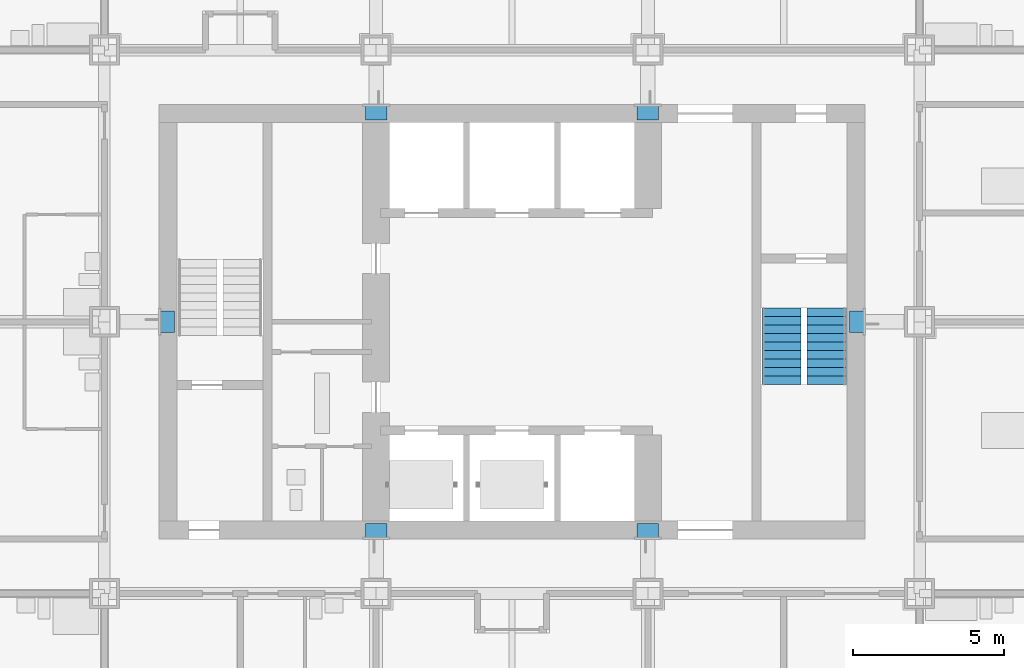
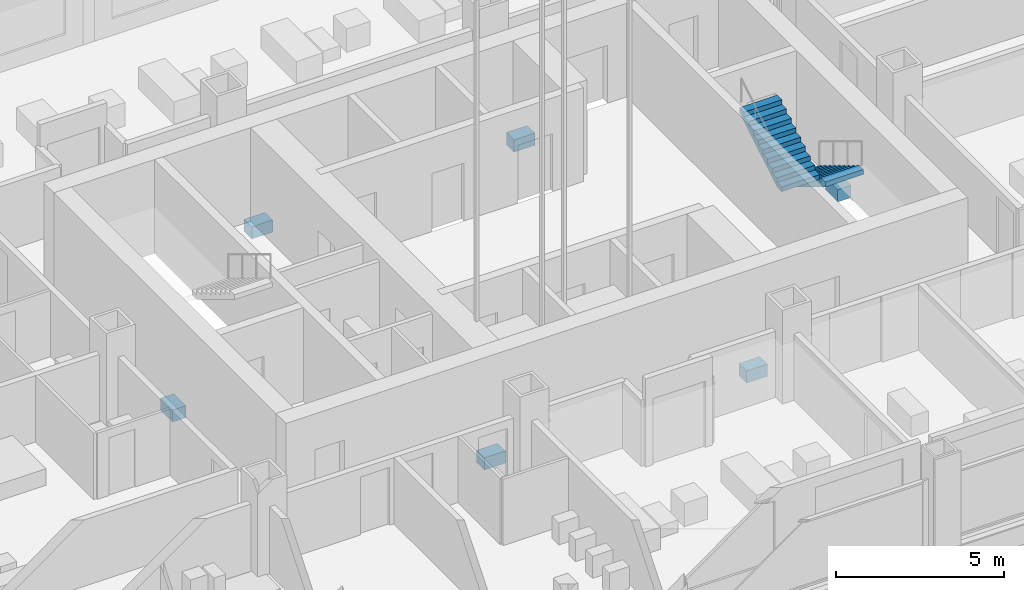
# One storey, part 15 of 19: 6 discrete accessories, 2 stair flights, 1 element without a shape of its own.
"""IFC4 building model written with IfcOpenShell, lengths in metres."""

import ifcopenshell
import ifcopenshell.guid

model = None  # the IFC model being written
_history = None  # IfcOwnerHistory: only IFC2X3 demands one
_inside = {}  # id of a spatial element -> (the spatial element, [elements in it])
_under = {}  # id of a project, library or spatial element -> (it, [spatial elements below it])
_declared = {}  # id of a project -> (the project, [libraries it declares])
_typed = {}  # id of a type object -> (the type object, [elements of that type])
_made_of = {}  # id of a material, layer set ... -> (it, [elements and type objects made of it])


def new_model(schema):
    """Start an empty IFC model of exactly this schema.

    Asked for "IFC4X3", IfcOpenShell would pick the latest addendum, in which some entities
    have other attributes; the version numbers below select the first issue.
    IFC2X3 requires an IfcOwnerHistory on every rooted entity: one is made here for all.
    """
    global model, _history
    if schema == "IFC4X3":
        model = ifcopenshell.file(schema_version=(4, 3, 0, 0))
    else:
        model = ifcopenshell.file(schema=schema)
    _inside.clear()
    _under.clear()
    _declared.clear()
    _typed.clear()
    _made_of.clear()
    _history = None
    if model.schema == "IFC2X3":
        org = make("IfcOrganization", Name="unknown")
        user = make(
            "IfcPersonAndOrganization",
            ThePerson=make("IfcPerson", FamilyName="unknown"),
            TheOrganization=org,
        )
        app = make(
            "IfcApplication",
            ApplicationDeveloper=org,
            Version="unknown",
            ApplicationFullName="unknown",
            ApplicationIdentifier="unknown",
        )
        _history = make(
            "IfcOwnerHistory",
            OwningUser=user,
            OwningApplication=app,
            ChangeAction="ADDED",
            CreationDate=0,
        )
    return model


def make(cls, **values):
    """One entity of the class cls with the attributes given. An attribute that is None is left unset."""
    return model.create_entity(
        cls, **{name: value for name, value in values.items() if value is not None}
    )


def rooted(cls, **values):
    """An entity with a GlobalId (a new one), such as an element, a storey or a relation."""
    return make(cls, GlobalId=ifcopenshell.guid.new(), OwnerHistory=_history, **values)


def si_unit(unit_type, name, prefix=None):
    """IfcSIUnit, for example si_unit("LENGTHUNIT", "METRE", prefix="MILLI")."""
    return make("IfcSIUnit", UnitType=unit_type, Prefix=prefix, Name=name)


def assignment(units):
    """IfcUnitAssignment: the units of a project."""
    return None if units is None else make("IfcUnitAssignment", Units=units)


def point(xyz):
    """IfcCartesianPoint."""
    return None if xyz is None else make("IfcCartesianPoint", Coordinates=xyz)


def direction(xyz):
    """IfcDirection."""
    return None if xyz is None else make("IfcDirection", DirectionRatios=xyz)


def frame(location, z_axis=None, x_axis=None):
    """IfcAxis2Placement3D, a coordinate frame: its origin and axes. An axis left out is left unset."""
    return make(
        "IfcAxis2Placement3D",
        Location=point(location),
        Axis=direction(z_axis),
        RefDirection=direction(x_axis),
    )


def frame_2d(location, x_axis=None):
    """IfcAxis2Placement2D, a coordinate frame in the plane: its origin and x axis."""
    return make(
        "IfcAxis2Placement2D", Location=point(location), RefDirection=direction(x_axis)
    )


def origin():
    """The frame at (0, 0, 0) with its axes left unset."""
    return frame((0.0, 0.0, 0.0))


def origin_2d():
    """The frame at (0, 0) in the plane with its x axis left unset."""
    return frame_2d((0.0, 0.0))


def place(relative_to, where):
    """IfcLocalPlacement: puts the frame where relative to a parent placement (None: the world)."""
    return make(
        "IfcLocalPlacement", PlacementRelTo=relative_to, RelativePlacement=where
    )


def context(
    kind, dimensions, precision=None, world=None, true_north=None, identifier=None
):
    """IfcGeometricRepresentationContext, for example the 3D "Model" context."""
    return make(
        "IfcGeometricRepresentationContext",
        ContextIdentifier=identifier,
        ContextType=kind,
        CoordinateSpaceDimension=dimensions,
        Precision=precision,
        WorldCoordinateSystem=world,
        TrueNorth=true_north,
    )


def subcontext(parent, identifier, kind, view, scale=None):
    """IfcGeometricRepresentationSubContext, for example "Body" below "Model"."""
    return make(
        "IfcGeometricRepresentationSubContext",
        ContextIdentifier=identifier,
        ContextType=kind,
        ParentContext=parent,
        TargetScale=scale,
        TargetView=view,
    )


def project(units=None, contexts=None):
    """IfcProject with its units and contexts."""
    return rooted(
        "IfcProject",
        Name="project",
        RepresentationContexts=contexts,
        UnitsInContext=assignment(units),
    )


def spatial(cls, under=None, at=None, **own):
    """A site, building, storey or space (cls), placed at a placement, below another one or the project."""
    s = rooted(cls, ObjectPlacement=at, **own)
    if under is not None:
        _under.setdefault(under.id(), (under, []))[1].append(s)
    return s


def polyline(points):
    """IfcPolyline through the points."""
    return make("IfcPolyline", Points=[point(p) for p in points])


def profile(cls, at=None, kind="AREA", **sizes):
    """A parametric profile (cls). Its sizes go by their IFC names, for example OverallWidth=200.0."""
    return make(cls, ProfileType=kind, Position=at, **sizes)


def rectangle(**sizes):
    """IfcRectangleProfileDef."""
    return profile("IfcRectangleProfileDef", **sizes)


def outline(outer, holes=None, kind="AREA"):
    """IfcArbitraryClosedProfileDef: a profile drawn as a closed curve; with holes, ...WithVoids."""
    if holes is None:
        return make("IfcArbitraryClosedProfileDef", ProfileType=kind, OuterCurve=outer)
    return make(
        "IfcArbitraryProfileDefWithVoids",
        ProfileType=kind,
        OuterCurve=outer,
        InnerCurves=holes,
    )


def extrude(swept, where, along, depth):
    """IfcExtrudedAreaSolid: the profile swept, set in the frame where, extruded along a direction by depth."""
    return make(
        "IfcExtrudedAreaSolid",
        SweptArea=swept,
        Position=where,
        ExtrudedDirection=direction(along),
        Depth=depth,
    )


def shape(context_of_items, identifier, shape_type, items):
    """IfcShapeRepresentation: the items that make up one representation, for example the "Body"."""
    return make(
        "IfcShapeRepresentation",
        ContextOfItems=context_of_items,
        RepresentationIdentifier=identifier,
        RepresentationType=shape_type,
        Items=items,
    )


def material(Name=None, Category=None):
    """IfcMaterial."""
    return make("IfcMaterial", Name=Name, Category=Category)


def made_of(thing, what):
    """Note that an element or type object is made of a material, layer set ...; save() writes the relation."""
    if what is not None:
        _made_of.setdefault(what.id(), (what, []))[1].append(thing)
    return thing


def type_object(cls, material=None, **own):
    """A type object (cls), such as IfcWallType, which elements share."""
    return made_of(rooted(cls, **own), material)


def element(
    cls,
    number,
    at=None,
    inside=None,
    cuts=None,
    type_object=None,
    material=None,
    context=None,
    identifier="Body",
    shape_type=None,
    held_by="IfcProductDefinitionShape",
    body=None,
    shapes=None,
    **own,
):
    """One element of the class cls, such as IfcWall. Its Tag is "e" and its number.

    at: its placement. inside: the storey or other place that contains it. cuts: it is an
    opening in that element (IfcRelVoidsElement). A single representation is given by context,
    identifier, shape_type and body (its items); several are given by shapes. held_by: the class
    of the entity that holds the representations. save() writes the other relations.
    """
    e = rooted(cls, Tag="e%d" % number, ObjectPlacement=at, **own)
    if body is not None:
        shapes = [shape(context, identifier, shape_type, body)]
    if shapes is not None:
        e.Representation = make(held_by, Representations=shapes)
    if inside is not None:
        _inside.setdefault(inside.id(), (inside, []))[1].append(e)
    if cuts is not None:
        rooted(
            "IfcRelVoidsElement", RelatingBuildingElement=cuts, RelatedOpeningElement=e
        )
    if type_object is not None:
        _typed.setdefault(type_object.id(), (type_object, []))[1].append(e)
    return made_of(e, material)


def aggregate(whole, parts):
    """IfcRelAggregates: a whole, such as a stair, and the parts it consists of."""
    return rooted("IfcRelAggregates", RelatingObject=whole, RelatedObjects=parts)


def save(model, path):
    """Write the relations noted so far, then the file.

    IfcRelAggregates (storeys below a building ...), IfcRelContainedInSpatialStructure (elements
    in a storey), IfcRelDefinesByType, IfcRelAssociatesMaterial and IfcRelDeclares: one each for
    every whole, place, type object, material and project.
    """
    for whole, parts in _under.values():
        aggregate(whole, parts)
    for where, things in _inside.values():
        rooted(
            "IfcRelContainedInSpatialStructure",
            RelatedElements=things,
            RelatingStructure=where,
        )
    for kind, things in _typed.values():
        rooted("IfcRelDefinesByType", RelatedObjects=things, RelatingType=kind)
    for what, things in _made_of.values():
        rooted("IfcRelAssociatesMaterial", RelatedObjects=things, RelatingMaterial=what)
    for by, libraries in _declared.values():
        rooted("IfcRelDeclares", RelatingContext=by, RelatedDefinitions=libraries)
    model.write(path)


model = new_model("IFC4")

# Units and contexts
model_context = context("Model", 3, precision=1e-05, world=origin(), true_north=direction((0.0, 1.0)))
body_context = subcontext(model_context, "Body", "Model", "MODEL_VIEW")
ifc_project = project(units=[si_unit("LENGTHUNIT", "METRE"), si_unit("AREAUNIT", "SQUARE_METRE"), si_unit("VOLUMEUNIT", "CUBIC_METRE"), si_unit("PLANEANGLEUNIT", "RADIAN"), si_unit("MASSUNIT", "GRAM", prefix="KILO")], contexts=[model_context])

# Site, building, storey
site_placement = place(None, origin())
site = spatial("IfcSite", under=ifc_project, at=site_placement, CompositionType="ELEMENT")
building_placement = place(site_placement, origin())
building = spatial("IfcBuilding", under=site, at=building_placement, Name="Loomwork Tower", CompositionType="ELEMENT")
storey_placement = place(building_placement, frame((0.0, 0.0, 94.199951171875)))
storey = spatial("IfcBuildingStorey", under=building, at=storey_placement, Name="L24", CompositionType="ELEMENT", Elevation=94.199951171875)

# Stair, stair flights
ifc_material_1 = material(Name="Concrete 5000 psi (34 MPa) precast stair", Category="concrete")
stair_type = type_object("IfcStairType", Name="Stair ST-B 20 risers 2850 wide", PredefinedType="HALF_TURN_STAIR", material=ifc_material_1)
stair_placement = place(storey_placement, origin())
stair = element("IfcStair", 1, at=stair_placement, inside=storey, type_object=stair_type, Name="Stair B L24", PredefinedType="HALF_TURN_STAIR")
ifc_material_2 = material(Name="Concrete 5000 psi (34 MPa) precast stair", Category="concrete")
stair_flight_type = type_object("IfcStairFlightType", Name="Stair flight ST-B 10 risers 1300 wide", PredefinedType="STRAIGHT", material=ifc_material_2)
stair_flight_1_placement = place(storey_placement, frame((32.925048828125, 18.449951171875, 0.0), z_axis=(0.0, 0.0, 1.0), x_axis=(0.0, -1.0, 0.0)))
stair_flight_1 = element("IfcStairFlight", 2, at=stair_flight_1_placement, type_object=stair_flight_type, Name="ST-B flight 1", NumberOfRisers=10, NumberOfTreads=9, PredefinedType="STRAIGHT", RiserHeight=0.17, TreadLength=0.28, context=body_context, shape_type="SweptSolid", body=[
    extrude(outline(polyline([(0.0, 0.0), (0.0, 0.169921875), (0.280029296875, 0.169921875), (0.280029296875, 0.340087890625), (0.56005859375, 0.340087890625), (0.56005859375, 0.510009765625), (0.840087890625, 0.510009765625), (0.840087890625, 0.679931640625), (1.1201171875, 0.679931640625), (1.1201171875, 0.85009765625), (1.39990234375, 0.85009765625), (1.39990234375, 1.02001953125), (1.679931640625, 1.02001953125), (1.679931640625, 1.18994140625), (1.9599609375, 1.18994140625), (1.9599609375, 1.360107421875), (2.239990234375, 1.360107421875), (2.239990234375, 1.530029296875), (2.52001953125, 1.530029296875), (2.52001953125, 1.699951171875), (2.52001953125, 1.354736328125), (0.288818359375, 0.0), (0.0, 0.0)])), frame((0.0, 0.64990234375, 0.0), z_axis=(0.0, -1.0, 0.0), x_axis=(1.0, 0.0, 0.0)), (0.0, 0.0, 1.0), 1.300048828125),
])
stair_flight_2_placement = place(storey_placement, frame((31.425048828125, 15.929931640625, 1.699951171875), z_axis=(0.0, 0.0, 1.0), x_axis=(0.0, 1.0, 0.0)))
stair_flight_2 = element("IfcStairFlight", 3, at=stair_flight_2_placement, type_object=stair_flight_type, Name="ST-B flight 2", NumberOfRisers=10, NumberOfTreads=9, PredefinedType="STRAIGHT", RiserHeight=0.17, TreadLength=0.28, context=body_context, shape_type="SweptSolid", body=[
    extrude(outline(polyline([(0.0, 0.0), (0.0, 0.169921875), (0.280029296875, 0.169921875), (0.280029296875, 0.340087890625), (0.56005859375, 0.340087890625), (0.56005859375, 0.510009765625), (0.840087890625, 0.510009765625), (0.840087890625, 0.679931640625), (1.1201171875, 0.679931640625), (1.1201171875, 0.85009765625), (1.39990234375, 0.85009765625), (1.39990234375, 1.02001953125), (1.679931640625, 1.02001953125), (1.679931640625, 1.18994140625), (1.9599609375, 1.18994140625), (1.9599609375, 1.360107421875), (2.239990234375, 1.360107421875), (2.239990234375, 1.530029296875), (2.52001953125, 1.530029296875), (2.52001953125, 1.699951171875), (2.52001953125, 1.354736328125), (0.288818359375, 0.0), (0.0, 0.0)])), frame((0.0, 0.64990234375, 0.0), z_axis=(0.0, -1.0, 0.0), x_axis=(1.0, 0.0, 0.0)), (0.0, 0.0, 1.0), 1.300048828125),
])
aggregate(stair, [stair_flight_1, stair_flight_2])

# Discrete accessories
ifc_material_3 = material(Name="Steel ASTM A706 Grade 60", Category="steel")
discrete_accessory_type = type_object("IfcDiscreteAccessoryType", Name="Outrigger core-wall anchor bar group", PredefinedType="USERDEFINED", material=ifc_material_3)
discrete_accessory_1_placement = place(storey_placement, frame((27.0, 11.089111328125, -0.7197265625), z_axis=(0.0, 0.0, 1.0), x_axis=(1.0, 0.0, 0.0)))
element("IfcDiscreteAccessory", 4, at=discrete_accessory_1_placement, inside=storey, type_object=discrete_accessory_type, Name="Outrigger core-wall anchor bar group 27,9-27,11.1 L24", ObjectType="ANCHOR BAR GROUP", PredefinedType="USERDEFINED", context=body_context, shape_type="SweptSolid", body=[
    extrude(rectangle(XDim=0.719970703125, YDim=0.4599609375, at=origin_2d()), origin(), (0.0, 0.0, 1.0), 0.43994140625),
])
discrete_accessory_2_placement = place(storey_placement, frame((33.910888671875, 18.0, -0.7197265625), z_axis=(0.0, 0.0, 1.0), x_axis=(1.0, 0.0, 0.0)))
element("IfcDiscreteAccessory", 5, at=discrete_accessory_2_placement, inside=storey, type_object=discrete_accessory_type, Name="Outrigger core-wall anchor bar group 36,18-33.9,18 L24", ObjectType="ANCHOR BAR GROUP", PredefinedType="USERDEFINED", context=body_context, shape_type="SweptSolid", body=[
    extrude(rectangle(XDim=0.4599609375, YDim=0.719970703125, at=origin_2d()), origin(), (0.0, 0.0, 1.0), 0.43994140625),
])
for number, where, z_axis, x_axis, name in (
    (6, (27.0, 24.910888671875, -0.7197265625), (0.0, 0.0, 1.0), (1.0, 0.0, 0.0), "Outrigger core-wall anchor bar group 27,27-27,24.9 L24"),
    (7, (18.0, 11.089111328125, -0.7197265625), (0.0, 0.0, 1.0), (1.0, 0.0, 0.0), "Outrigger core-wall anchor bar group 18,9-18,11.1 L24"),
    (8, (18.0, 24.910888671875, -0.7197265625), (0.0, 0.0, 1.0), (1.0, 0.0, 0.0), "Outrigger core-wall anchor bar group 18,27-18,24.9 L24"),
):
    element("IfcDiscreteAccessory", number, at=place(storey_placement, frame(where, z_axis=z_axis, x_axis=x_axis)), inside=storey, type_object=discrete_accessory_type, Name=name, ObjectType="ANCHOR BAR GROUP", PredefinedType="USERDEFINED", context=body_context, shape_type="SweptSolid", body=[
        extrude(rectangle(XDim=0.719970703125, YDim=0.4599609375, at=origin_2d()), origin(), (0.0, 0.0, 1.0), 0.43994140625),
    ])
discrete_accessory_3_placement = place(storey_placement, frame((11.089111328125, 18.0, -0.7197265625), z_axis=(0.0, 0.0, 1.0), x_axis=(1.0, 0.0, 0.0)))
element("IfcDiscreteAccessory", 9, at=discrete_accessory_3_placement, inside=storey, type_object=discrete_accessory_type, Name="Outrigger core-wall anchor bar group 9,18-11.1,18 L24", ObjectType="ANCHOR BAR GROUP", PredefinedType="USERDEFINED", context=body_context, shape_type="SweptSolid", body=[
    extrude(rectangle(XDim=0.4599609375, YDim=0.719970703125, at=origin_2d()), origin(), (0.0, 0.0, 1.0), 0.43994140625),
])

save(model, "model.ifc")
